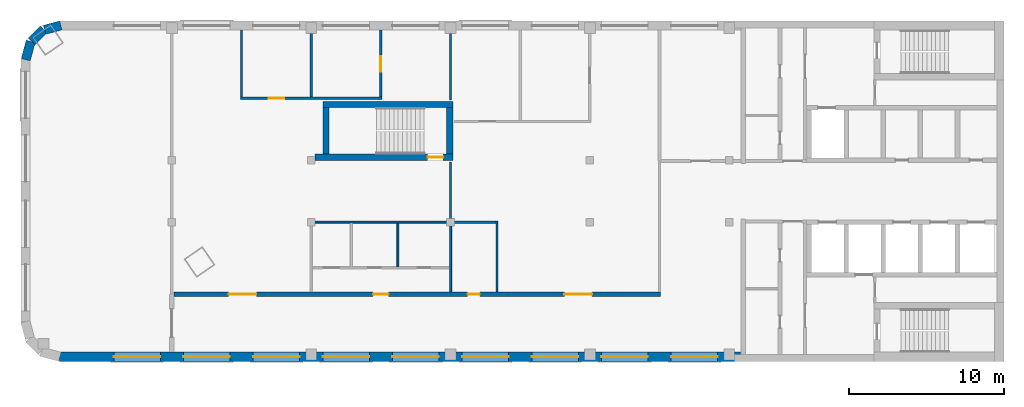
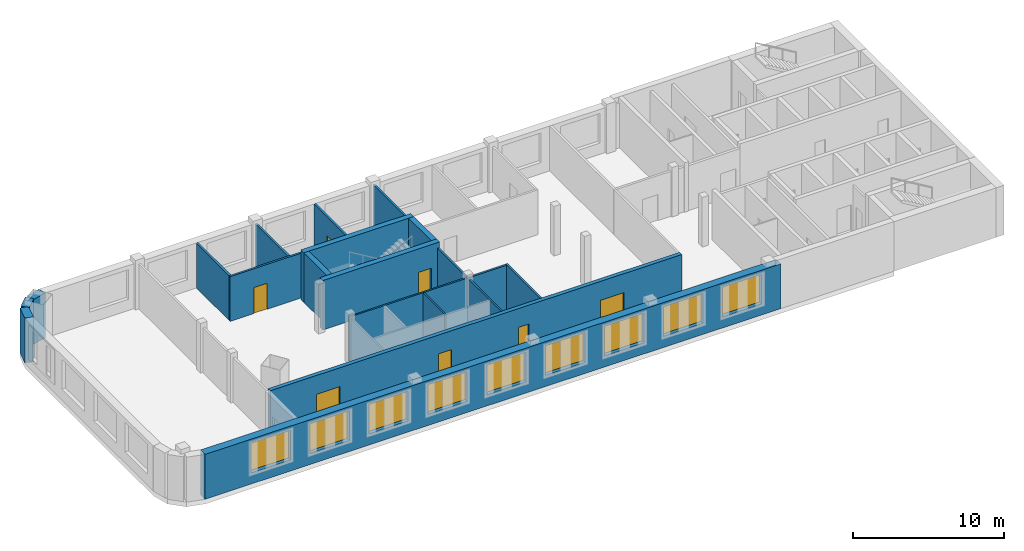
# One storey, part 2 of 6: 20 walls, 9 windows, 7 doors, 16 openings.
"""IFC4 building model written with IfcOpenShell, lengths in metres."""

from ifc_helpers import new_model, si_unit, direction, frame, frame_2d, origin, place, context, subcontext, project, spatial, rectangle, extrude, material, layer, layer_set, type_object, element, fill, save


model = new_model("IFC4")

# Units and contexts
model_context = context("Model", 3, precision=1e-05, world=origin(), true_north=direction((0.0, 1.0)))
body_context = subcontext(model_context, "Body", "Model", "MODEL_VIEW")
ifc_project = project(units=[si_unit("LENGTHUNIT", "METRE"), si_unit("AREAUNIT", "SQUARE_METRE"), si_unit("VOLUMEUNIT", "CUBIC_METRE"), si_unit("PLANEANGLEUNIT", "RADIAN"), si_unit("MASSUNIT", "GRAM", prefix="KILO")], contexts=[model_context])

# Site, building, storey
site_placement = place(None, origin())
site = spatial("IfcSite", under=ifc_project, at=site_placement, CompositionType="ELEMENT")
building_placement = place(site_placement, origin())
building = spatial("IfcBuilding", under=site, at=building_placement, Name="Skarvind Civic Tower", CompositionType="ELEMENT")
storey_placement = place(building_placement, frame((0.0, 0.0, 269.5)))
storey = spatial("IfcBuildingStorey", under=building, at=storey_placement, Name="L64", CompositionType="ELEMENT", Elevation=269.5)

# Wall, openings, doors
ifc_material_1 = material(Name="Fire-rated gypsum board on steel studs", Category="steel")
ifc_layer_1 = layer(ifc_material_1, 0.300048828125)
ifc_layer_set_1 = layer_set([ifc_layer_1], Name="CORRIDOR WALL 300")
wall_type_1 = type_object("IfcWallType", Name="CORRIDOR WALL 300", PredefinedType="PARTITIONING", material=ifc_layer_set_1)
wall_1_placement = place(storey_placement, frame((54.39990234375, 121.35009765625, 0.0), z_axis=(0.0, 0.0, 1.0), x_axis=(1.0, 0.0, 0.0)))
wall_1 = element("IfcWall", 1, at=wall_1_placement, inside=storey, type_object=wall_type_1, Name="Partition 64.002", PredefinedType="PARTITIONING", context=body_context, shape_type="SweptSolid", body=[
    extrude(rectangle(XDim=31.425048828125, YDim=0.300048828125, at=frame_2d((15.71240234375, 0.0))), origin(), (0.0, 0.0, 1.0), 3.625),
])
opening_1_placement = place(wall_1_placement, frame((18.949951171875, 0.0, 0.0)))
opening_1 = element("IfcOpeningElement", 2, at=opening_1_placement, cuts=wall_1, Name="Opening L64-D002", PredefinedType="OPENING", context=body_context, shape_type="SweptSolid", body=[
    extrude(rectangle(XDim=0.800048828125, YDim=2.10009765625, at=frame_2d((0.39990234375, 1.050048828125))), frame((0.0, 0.159912109375, 0.0), z_axis=(0.0, -1.0, 0.0), x_axis=(1.0, 0.0, 0.0)), (0.0, 0.0, 1.0), 0.320068359375),
])
opening_2_placement = place(wall_1_placement, frame((25.199951171875, 0.0, 0.0)))
opening_2 = element("IfcOpeningElement", 3, at=opening_2_placement, cuts=wall_1, Name="Opening L64-D005", PredefinedType="OPENING", context=body_context, shape_type="SweptSolid", body=[
    extrude(rectangle(XDim=1.800048828125, YDim=2.10009765625, at=frame_2d((0.89990234375, 1.050048828125))), frame((0.0, 0.159912109375, 0.0), z_axis=(0.0, -1.0, 0.0), x_axis=(1.0, 0.0, 0.0)), (0.0, 0.0, 1.0), 0.320068359375),
])
opening_3_placement = place(wall_1_placement, frame((12.85009765625, 0.0, 0.0)))
opening_3 = element("IfcOpeningElement", 4, at=opening_3_placement, cuts=wall_1, Name="Opening L64-D006", PredefinedType="OPENING", context=body_context, shape_type="SweptSolid", body=[
    extrude(rectangle(XDim=1.0, YDim=2.10009765625, at=frame_2d((0.5, 1.050048828125))), frame((0.0, 0.159912109375, 0.0), z_axis=(0.0, -1.0, 0.0), x_axis=(1.0, 0.0, 0.0)), (0.0, 0.0, 1.0), 0.320068359375),
])
opening_4_placement = place(wall_1_placement, frame((3.514892578125, 0.0, 0.0)))
opening_4 = element("IfcOpeningElement", 5, at=opening_4_placement, cuts=wall_1, Name="Opening L64-D012", PredefinedType="OPENING", context=body_context, shape_type="SweptSolid", body=[
    extrude(rectangle(XDim=1.800048828125, YDim=2.10009765625, at=frame_2d((0.89990234375, 1.050048828125))), frame((0.0, 0.159912109375, 0.0), z_axis=(0.0, -1.0, 0.0), x_axis=(1.0, 0.0, 0.0)), (0.0, 0.0, 1.0), 0.320068359375),
])
ifc_material_2 = material(Name="Fire-rated timber door leaf", Category="wood")
door_type_1 = type_object("IfcDoorType", Name="FD1 1000x2100", OperationType="NOTDEFINED", PredefinedType="DOOR", material=ifc_material_2)
door_1_placement = place(opening_3_placement, origin())
door_1 = element("IfcDoor", 6, at=door_1_placement, inside=storey, type_object=door_type_1, Name="Door L64-D006", OperationType="SINGLE_SWING_LEFT", OverallHeight=2.10009765625, OverallWidth=1.0, PredefinedType="DOOR", context=body_context, shape_type="SweptSolid", body=[
    extrude(rectangle(XDim=1.0, YDim=2.10009765625, at=frame_2d((0.5, 1.050048828125))), frame((0.0, 0.02490234375, 0.0), z_axis=(0.0, -1.0, 0.0), x_axis=(1.0, 0.0, 0.0)), (0.0, 0.0, 1.0), 0.050048828125),
])
fill(opening_3, door_1)
door_type_2 = type_object("IfcDoorType", Name="FD4 1800x2100", OperationType="NOTDEFINED", PredefinedType="DOOR", material=ifc_material_2)
door_2_placement = place(opening_2_placement, origin())
door_2 = element("IfcDoor", 7, at=door_2_placement, inside=storey, type_object=door_type_2, Name="Door L64-D005", OperationType="DOUBLE_DOOR_SINGLE_SWING", OverallHeight=2.10009765625, OverallWidth=1.800048828125, PredefinedType="DOOR", context=body_context, shape_type="SweptSolid", body=[
    extrude(rectangle(XDim=1.800048828125, YDim=2.10009765625, at=frame_2d((0.89990234375, 1.050048828125))), frame((0.0, 0.02490234375, 0.0), z_axis=(0.0, -1.0, 0.0), x_axis=(1.0, 0.0, 0.0)), (0.0, 0.0, 1.0), 0.050048828125),
])
fill(opening_2, door_2)
door_3_placement = place(opening_4_placement, origin())
door_3 = element("IfcDoor", 8, at=door_3_placement, inside=storey, type_object=door_type_2, Name="Door L64-D012", OperationType="DOUBLE_DOOR_SINGLE_SWING", OverallHeight=2.10009765625, OverallWidth=1.800048828125, PredefinedType="DOOR", context=body_context, shape_type="SweptSolid", body=[
    extrude(rectangle(XDim=1.800048828125, YDim=2.10009765625, at=frame_2d((0.89990234375, 1.050048828125))), frame((0.0, 0.02490234375, 0.0), z_axis=(0.0, -1.0, 0.0), x_axis=(1.0, 0.0, 0.0)), (0.0, 0.0, 1.0), 0.050048828125),
])
fill(opening_4, door_3)
door_type_3 = type_object("IfcDoorType", Name="FD5 800x2100", OperationType="NOTDEFINED", PredefinedType="DOOR", material=ifc_material_2)
door_4_placement = place(opening_1_placement, origin())
door_4 = element("IfcDoor", 9, at=door_4_placement, inside=storey, type_object=door_type_3, Name="Door L64-D002", OperationType="SINGLE_SWING_LEFT", OverallHeight=2.10009765625, OverallWidth=0.800048828125, PredefinedType="DOOR", context=body_context, shape_type="SweptSolid", body=[
    extrude(rectangle(XDim=0.800048828125, YDim=2.10009765625, at=frame_2d((0.39990234375, 1.050048828125))), frame((0.0, 0.02490234375, 0.0), z_axis=(0.0, -1.0, 0.0), x_axis=(1.0, 0.0, 0.0)), (0.0, 0.0, 1.0), 0.050048828125),
])
fill(opening_1, door_4)

# Wall, opening, door
ifc_material_3 = material(Name="Concrete C60", Category="concrete")
ifc_layer_2 = layer(ifc_material_3, 0.39990234375)
ifc_layer_set_2 = layer_set([ifc_layer_2], Name="Core wall 400 C60")
wall_type_2 = type_object("IfcWallType", Name="Core wall 400 C60", PredefinedType="SHEAR", material=ifc_layer_set_2)
wall_2_placement = place(storey_placement, frame((63.5, 130.199951171875, 0.0), z_axis=(0.0, 0.0, 1.0), x_axis=(1.0, 0.0, 0.0)))
wall_2 = element("IfcWall", 10, at=wall_2_placement, inside=storey, type_object=wall_type_2, Name="Core wall CM inner L64", PredefinedType="SHEAR", context=body_context, shape_type="SweptSolid", body=[
    extrude(rectangle(XDim=8.89990234375, YDim=0.39990234375, at=frame_2d((4.449951171875, 0.0))), origin(), (0.0, 0.0, 1.0), 4.0),
])
opening_5_placement = place(wall_2_placement, frame((7.27490234375, 0.0, 0.0)))
opening_5 = element("IfcOpeningElement", 11, at=opening_5_placement, cuts=wall_2, Name="Opening D-L64-CM-01", PredefinedType="OPENING", context=body_context, shape_type="SweptSolid", body=[
    extrude(rectangle(XDim=1.0, YDim=2.10009765625, at=frame_2d((0.5, 1.050048828125))), frame((0.0, 0.2099609375, 0.0), z_axis=(0.0, -1.0, 0.0), x_axis=(1.0, 0.0, 0.0)), (0.0, 0.0, 1.0), 0.419921875),
])
ifc_material_4 = material(Name="Fire-rated steel door", Category="steel")
door_type_4 = type_object("IfcDoorType", Name="Fire door 1000", OperationType="NOTDEFINED", PredefinedType="DOOR", material=ifc_material_4)
door_5_placement = place(opening_5_placement, origin())
door_5 = element("IfcDoor", 12, at=door_5_placement, inside=storey, type_object=door_type_4, Name="Fire door", OperationType="SINGLE_SWING_LEFT", OverallHeight=2.10009765625, OverallWidth=1.0, PredefinedType="DOOR", context=body_context, shape_type="SweptSolid", body=[
    extrude(rectangle(XDim=1.0, YDim=2.10009765625, at=frame_2d((0.5, 1.050048828125))), frame((0.0, 0.02490234375, 0.0), z_axis=(0.0, -1.0, 0.0), x_axis=(1.0, 0.0, 0.0)), (0.0, 0.0, 1.0), 0.050048828125),
])
fill(opening_5, door_5)

# Walls
wall_3_placement = place(storey_placement, frame((64.0, 133.60009765625, 0.0), z_axis=(0.0, 0.0, 1.0), x_axis=(1.0, 0.0, 0.0)))
element("IfcWall", 13, at=wall_3_placement, inside=storey, type_object=wall_type_2, Name="Core wall CM outer L64", PredefinedType="SHEAR", context=body_context, shape_type="SweptSolid", body=[
    extrude(rectangle(XDim=8.39990234375, YDim=0.39990234375, at=frame_2d((4.199951171875, 0.0))), origin(), (0.0, 0.0, 1.0), 4.0),
])
for number, where, z_axis, x_axis, name in (
    (14, (64.199951171875, 130.39990234375, 0.0), (0.0, 0.0, 1.0), (0.0, 1.0, 0.0), "Core wall CM west L64"),
    (15, (72.199951171875, 130.39990234375, 0.0), (0.0, 0.0, 1.0), (0.0, 1.0, 0.0), "Core wall CM end L64"),
):
    element("IfcWall", number, at=place(storey_placement, frame(where, z_axis=z_axis, x_axis=x_axis)), inside=storey, type_object=wall_type_2, Name=name, PredefinedType="SHEAR", context=body_context, shape_type="SweptSolid", body=[
        extrude(rectangle(XDim=3.0, YDim=0.39990234375, at=frame_2d((1.5, 0.0))), origin(), (0.0, 0.0, 1.0), 4.0),
    ])
ifc_material_5 = material(Name="Plasterboard partition on steel studs", Category="steel")
ifc_layer_3 = layer(ifc_material_5, 0.14990234375)
ifc_layer_set_3 = layer_set([ifc_layer_3], Name="PARTITION 150")
wall_type_3 = type_object("IfcWallType", Name="PARTITION 150", PredefinedType="PARTITIONING", material=ifc_layer_set_3)
wall_4_placement = place(storey_placement, frame((58.75, 134.074951171875, 0.0), z_axis=(0.0, 0.0, 1.0), x_axis=(0.0, 1.0, 0.0)))
element("IfcWall", 16, at=wall_4_placement, inside=storey, type_object=wall_type_3, Name="Partition 64.004", PredefinedType="PARTITIONING", context=body_context, shape_type="SweptSolid", body=[
    extrude(rectangle(XDim=4.324951171875, YDim=0.14990234375, at=frame_2d((2.16259765625, 0.0))), origin(), (0.0, 0.0, 1.0), 3.625),
])

# Wall, opening, door
wall_5_placement = place(storey_placement, frame((67.824951171875, 134.0, 0.0), z_axis=(0.0, 0.0, 1.0), x_axis=(-1.0, 0.0, 0.0)))
wall_5 = element("IfcWall", 17, at=wall_5_placement, inside=storey, type_object=wall_type_3, Name="Partition 64.005", PredefinedType="PARTITIONING", context=body_context, shape_type="SweptSolid", body=[
    extrude(rectangle(XDim=9.14990234375, YDim=0.14990234375, at=frame_2d((4.574951171875, 0.0))), origin(), (0.0, 0.0, 1.0), 3.625),
])
opening_6_placement = place(wall_5_placement, frame((6.324951171875, 0.0, 0.0)))
opening_6 = element("IfcOpeningElement", 18, at=opening_6_placement, cuts=wall_5, Name="Opening L64-D011", PredefinedType="OPENING", context=body_context, shape_type="SweptSolid", body=[
    extrude(rectangle(XDim=1.0, YDim=2.10009765625, at=frame_2d((0.5, 1.050048828125))), frame((0.0, 0.0849609375, 0.0), z_axis=(0.0, -1.0, 0.0), x_axis=(1.0, 0.0, 0.0)), (0.0, 0.0, 1.0), 0.169921875),
])
ifc_material_6 = material(Name="Timber door leaf", Category="wood")
door_type_5 = type_object("IfcDoorType", Name="D1 1000x2100", OperationType="NOTDEFINED", PredefinedType="DOOR", material=ifc_material_6)
door_6_placement = place(opening_6_placement, origin())
door_6 = element("IfcDoor", 19, at=door_6_placement, inside=storey, type_object=door_type_5, Name="Door L64-D011", OperationType="SINGLE_SWING_RIGHT", OverallHeight=2.10009765625, OverallWidth=1.0, PredefinedType="DOOR", context=body_context, shape_type="SweptSolid", body=[
    extrude(rectangle(XDim=1.0, YDim=2.10009765625, at=frame_2d((0.5, 1.050048828125))), frame((0.0, 0.02490234375, 0.0), z_axis=(0.0, -1.0, 0.0), x_axis=(1.0, 0.0, 0.0)), (0.0, 0.0, 1.0), 0.050048828125),
])
fill(opening_6, door_6)

# Wall
wall_6_placement = place(storey_placement, frame((63.25, 134.074951171875, 0.0), z_axis=(0.0, 0.0, 1.0), x_axis=(0.0, 1.0, 0.0)))
element("IfcWall", 20, at=wall_6_placement, inside=storey, type_object=wall_type_3, Name="Partition 64.009", PredefinedType="PARTITIONING", context=body_context, shape_type="SweptSolid", body=[
    extrude(rectangle(XDim=4.324951171875, YDim=0.14990234375, at=frame_2d((2.16259765625, 0.0))), origin(), (0.0, 0.0, 1.0), 3.625),
])

# Wall, opening, door
wall_7_placement = place(storey_placement, frame((67.75, 138.39990234375, 0.0), z_axis=(0.0, 0.0, 1.0), x_axis=(0.0, -1.0, 0.0)))
wall_7 = element("IfcWall", 21, at=wall_7_placement, inside=storey, type_object=wall_type_3, Name="Partition 64.011", PredefinedType="PARTITIONING", context=body_context, shape_type="SweptSolid", body=[
    extrude(rectangle(XDim=4.324951171875, YDim=0.14990234375, at=frame_2d((2.16259765625, 0.0))), origin(), (0.0, 0.0, 1.0), 3.625),
])
opening_7_placement = place(wall_7_placement, frame((1.672607421875, 0.0, 0.0)))
opening_7 = element("IfcOpeningElement", 22, at=opening_7_placement, cuts=wall_7, Name="Opening L64-D010", PredefinedType="OPENING", context=body_context, shape_type="SweptSolid", body=[
    extrude(rectangle(XDim=1.0, YDim=2.10009765625, at=frame_2d((0.5, 1.050048828125))), frame((0.0, 0.0849609375, 0.0), z_axis=(0.0, -1.0, 0.0), x_axis=(1.0, 0.0, 0.0)), (0.0, 0.0, 1.0), 0.169921875),
])
door_7_placement = place(opening_7_placement, origin())
door_7 = element("IfcDoor", 23, at=door_7_placement, inside=storey, type_object=door_type_5, Name="Door L64-D010", OperationType="SINGLE_SWING_LEFT", OverallHeight=2.10009765625, OverallWidth=1.0, PredefinedType="DOOR", context=body_context, shape_type="SweptSolid", body=[
    extrude(rectangle(XDim=1.0, YDim=2.10009765625, at=frame_2d((0.5, 1.050048828125))), frame((0.0, 0.02490234375, 0.0), z_axis=(0.0, -1.0, 0.0), x_axis=(1.0, 0.0, 0.0)), (0.0, 0.0, 1.0), 0.050048828125),
])
fill(opening_7, door_7)

# Walls
wall_8_placement = place(storey_placement, frame((72.25, 126.0, 0.0), z_axis=(0.0, 0.0, 1.0), x_axis=(0.0, 1.0, 0.0)))
element("IfcWall", 24, at=wall_8_placement, inside=storey, type_object=wall_type_3, Name="Partition 64.014", PredefinedType="PARTITIONING", context=body_context, shape_type="SweptSolid", body=[
    extrude(rectangle(XDim=3.89990234375, YDim=0.14990234375, at=frame_2d((1.949951171875, 0.0))), origin(), (0.0, 0.0, 1.0), 3.625),
])
wall_9_placement = place(storey_placement, frame((72.25, 133.89990234375, 0.0), z_axis=(0.0, 0.0, 1.0), x_axis=(0.0, 1.0, 0.0)))
element("IfcWall", 25, at=wall_9_placement, inside=storey, type_object=wall_type_3, Name="Partition 64.015", PredefinedType="PARTITIONING", context=body_context, shape_type="SweptSolid", body=[
    extrude(rectangle(XDim=4.5, YDim=0.14990234375, at=frame_2d((2.25, 0.0))), origin(), (0.0, 0.0, 1.0), 3.625),
])
wall_10_placement = place(storey_placement, frame((75.25, 121.5, 0.0), z_axis=(0.0, 0.0, 1.0), x_axis=(0.0, 1.0, 0.0)))
element("IfcWall", 26, at=wall_10_placement, inside=storey, type_object=wall_type_3, Name="Partition 64.017", PredefinedType="PARTITIONING", context=body_context, shape_type="SweptSolid", body=[
    extrude(rectangle(XDim=4.574951171875, YDim=0.14990234375, at=frame_2d((2.28759765625, 0.0))), origin(), (0.0, 0.0, 1.0), 3.625),
])
wall_11_placement = place(storey_placement, frame((75.175048828125, 126.0, 0.0), z_axis=(0.0, 0.0, 1.0), x_axis=(-1.0, 0.0, 0.0)))
element("IfcWall", 27, at=wall_11_placement, inside=storey, type_object=wall_type_3, Name="Partition 64.018", PredefinedType="PARTITIONING", context=body_context, shape_type="SweptSolid", body=[
    extrude(rectangle(XDim=2.925048828125, YDim=0.14990234375, at=frame_2d((1.46240234375, 0.0))), origin(), (0.0, 0.0, 1.0), 3.625),
])
ifc_material_7 = material(Name="Moisture-resistant gypsum board on steel studs", Category="steel")
ifc_layer_4 = layer(ifc_material_7, 0.125)
ifc_layer_set_4 = layer_set([ifc_layer_4], Name="WC PARTITION 125")
wall_type_4 = type_object("IfcWallType", Name="WC PARTITION 125", PredefinedType="PARTITIONING", material=ifc_layer_set_4)
wall_12_placement = place(storey_placement, frame((63.18798828125, 126.0, 0.0), z_axis=(0.0, 0.0, 1.0), x_axis=(1.0, 0.0, 0.0)))
element("IfcWall", 28, at=wall_12_placement, inside=storey, type_object=wall_type_4, Name="Partition 64.008", PredefinedType="PARTITIONING", context=body_context, shape_type="SweptSolid", body=[
    extrude(rectangle(XDim=9.06201171875, YDim=0.125, at=frame_2d((4.531005859375, 0.0))), origin(), (0.0, 0.0, 1.0), 3.625),
])
wall_13_placement = place(storey_placement, frame((68.85009765625, 125.93798828125, 0.0), z_axis=(0.0, 0.0, 1.0), x_axis=(0.0, -1.0, 0.0)))
element("IfcWall", 29, at=wall_13_placement, inside=storey, type_object=wall_type_4, Name="Partition 64.012", PredefinedType="PARTITIONING", context=body_context, shape_type="SweptSolid", body=[
    extrude(rectangle(XDim=2.825927734375, YDim=0.125, at=frame_2d((1.4130859375, 0.0))), origin(), (0.0, 0.0, 1.0), 3.625),
])
wall_14_placement = place(storey_placement, frame((72.25, 126.0, 0.0), z_axis=(0.0, 0.0, 1.0), x_axis=(0.0, -1.0, 0.0)))
element("IfcWall", 30, at=wall_14_placement, inside=storey, type_object=wall_type_4, Name="Partition 64.013", PredefinedType="PARTITIONING", context=body_context, shape_type="SweptSolid", body=[
    extrude(rectangle(XDim=4.5, YDim=0.125, at=frame_2d((2.25, 0.0))), origin(), (0.0, 0.0, 1.0), 3.625),
])
ifc_material_8 = material(Name="Standing-seam zinc cladding on insulated backing")
ifc_layer_5 = layer(ifc_material_8, 0.60009765625)
ifc_layer_set_5 = layer_set([ifc_layer_5], Name="WX2 ZINC-CLAD FACADE WALL 600")
wall_type_5 = type_object("IfcWallType", Name="WX2 ZINC-CLAD FACADE WALL 600", PredefinedType="SOLIDWALL", material=ifc_layer_set_5)
wall_15_placement = place(storey_placement, frame((46.030517578125, 138.4296875, 0.0), z_axis=(0.0, 0.0, 1.0), x_axis=(0.965939004864, 0.25876985698, 0.0)))
element("IfcWall", 31, at=wall_15_placement, inside=storey, type_object=wall_type_5, Name="ZINC-CLAD FACADE WALL", PredefinedType="SOLIDWALL", context=body_context, shape_type="SweptSolid", body=[
    extrude(rectangle(XDim=1.083984375, YDim=0.60009765625, at=frame_2d((0.5419921875, 0.0))), origin(), (0.0, 0.0, 1.0), 3.625),
])
wall_16_placement = place(storey_placement, frame((45.195556640625, 137.686279296875, 0.0), z_axis=(0.0, 0.0, 1.0), x_axis=(0.707106781187, 0.707106781187, 0.0)))
element("IfcWall", 32, at=wall_16_placement, inside=storey, type_object=wall_type_5, Name="ZINC-CLAD FACADE WALL", PredefinedType="SOLIDWALL", context=body_context, shape_type="SweptSolid", body=[
    extrude(rectangle(XDim=1.084228515625, YDim=0.60009765625, at=frame_2d((0.5419921875, 0.0))), origin(), (0.0, 0.0, 1.0), 3.625),
])
wall_17_placement = place(storey_placement, frame((44.807861328125, 136.489990234375, 0.0), z_axis=(0.0, 0.0, 1.0), x_axis=(0.258878975098, 0.965909766102, 0.0)))
element("IfcWall", 33, at=wall_17_placement, inside=storey, type_object=wall_type_5, Name="ZINC-CLAD FACADE WALL", PredefinedType="SOLIDWALL", context=body_context, shape_type="SweptSolid", body=[
    extrude(rectangle(XDim=1.22412109375, YDim=0.60009765625, at=frame_2d((0.612060546875, 0.0))), origin(), (0.0, 0.0, 1.0), 3.625),
])

# Wall, openings, windows
wall_18_placement = place(storey_placement, frame((90.97998046875, 117.300048828125, 0.0), z_axis=(0.0, 0.0, 1.0), x_axis=(-1.0, 0.0, 0.0)))
wall_18 = element("IfcWall", 34, at=wall_18_placement, inside=storey, type_object=wall_type_5, Name="ZINC-CLAD FACADE WALL", PredefinedType="SOLIDWALL", context=body_context, shape_type="SweptSolid", body=[
    extrude(rectangle(XDim=43.97998046875, YDim=0.60009765625, at=frame_2d((21.989990234375, 0.0))), origin(), (0.0, 0.0, 1.0), 3.625),
])
opening_8_placement = place(wall_18_placement, frame((1.47998046875, 0.0, 0.89990234375)))
opening_8 = element("IfcOpeningElement", 35, at=opening_8_placement, cuts=wall_18, Name="Opening WN4", PredefinedType="OPENING", context=body_context, shape_type="SweptSolid", body=[
    extrude(rectangle(XDim=3.0, YDim=2.39990234375, at=frame_2d((1.5, 1.199951171875))), frame((0.0, 0.31005859375, 0.0), z_axis=(0.0, -1.0, 0.0), x_axis=(1.0, 0.0, 0.0)), (0.0, 0.0, 1.0), 0.6201171875),
])
opening_9_placement = place(wall_18_placement, frame((5.97998046875, 0.0, 0.89990234375)))
opening_9 = element("IfcOpeningElement", 36, at=opening_9_placement, cuts=wall_18, Name="Opening WN4", PredefinedType="OPENING", context=body_context, shape_type="SweptSolid", body=[
    extrude(rectangle(XDim=3.0, YDim=2.39990234375, at=frame_2d((1.5, 1.199951171875))), frame((0.0, 0.31005859375, 0.0), z_axis=(0.0, -1.0, 0.0), x_axis=(1.0, 0.0, 0.0)), (0.0, 0.0, 1.0), 0.6201171875),
])
opening_10_placement = place(wall_18_placement, frame((10.47998046875, 0.0, 0.89990234375)))
opening_10 = element("IfcOpeningElement", 37, at=opening_10_placement, cuts=wall_18, Name="Opening WN4", PredefinedType="OPENING", context=body_context, shape_type="SweptSolid", body=[
    extrude(rectangle(XDim=3.0, YDim=2.39990234375, at=frame_2d((1.5, 1.199951171875))), frame((0.0, 0.31005859375, 0.0), z_axis=(0.0, -1.0, 0.0), x_axis=(1.0, 0.0, 0.0)), (0.0, 0.0, 1.0), 0.6201171875),
])
opening_11_placement = place(wall_18_placement, frame((14.97998046875, 0.0, 0.89990234375)))
opening_11 = element("IfcOpeningElement", 38, at=opening_11_placement, cuts=wall_18, Name="Opening WN4", PredefinedType="OPENING", context=body_context, shape_type="SweptSolid", body=[
    extrude(rectangle(XDim=3.0, YDim=2.39990234375, at=frame_2d((1.5, 1.199951171875))), frame((0.0, 0.31005859375, 0.0), z_axis=(0.0, -1.0, 0.0), x_axis=(1.0, 0.0, 0.0)), (0.0, 0.0, 1.0), 0.6201171875),
])
opening_12_placement = place(wall_18_placement, frame((19.47998046875, 0.0, 0.89990234375)))
opening_12 = element("IfcOpeningElement", 39, at=opening_12_placement, cuts=wall_18, Name="Opening WN4", PredefinedType="OPENING", context=body_context, shape_type="SweptSolid", body=[
    extrude(rectangle(XDim=3.0, YDim=2.39990234375, at=frame_2d((1.5, 1.199951171875))), frame((0.0, 0.31005859375, 0.0), z_axis=(0.0, -1.0, 0.0), x_axis=(1.0, 0.0, 0.0)), (0.0, 0.0, 1.0), 0.6201171875),
])
opening_13_placement = place(wall_18_placement, frame((23.97998046875, 0.0, 0.89990234375)))
opening_13 = element("IfcOpeningElement", 40, at=opening_13_placement, cuts=wall_18, Name="Opening WN4", PredefinedType="OPENING", context=body_context, shape_type="SweptSolid", body=[
    extrude(rectangle(XDim=3.0, YDim=2.39990234375, at=frame_2d((1.5, 1.199951171875))), frame((0.0, 0.31005859375, 0.0), z_axis=(0.0, -1.0, 0.0), x_axis=(1.0, 0.0, 0.0)), (0.0, 0.0, 1.0), 0.6201171875),
])
opening_14_placement = place(wall_18_placement, frame((28.47998046875, 0.0, 0.89990234375)))
opening_14 = element("IfcOpeningElement", 41, at=opening_14_placement, cuts=wall_18, Name="Opening WN4", PredefinedType="OPENING", context=body_context, shape_type="SweptSolid", body=[
    extrude(rectangle(XDim=3.0, YDim=2.39990234375, at=frame_2d((1.5, 1.199951171875))), frame((0.0, 0.31005859375, 0.0), z_axis=(0.0, -1.0, 0.0), x_axis=(1.0, 0.0, 0.0)), (0.0, 0.0, 1.0), 0.6201171875),
])
opening_15_placement = place(wall_18_placement, frame((32.97998046875, 0.0, 0.89990234375)))
opening_15 = element("IfcOpeningElement", 42, at=opening_15_placement, cuts=wall_18, Name="Opening WN4", PredefinedType="OPENING", context=body_context, shape_type="SweptSolid", body=[
    extrude(rectangle(XDim=3.0, YDim=2.39990234375, at=frame_2d((1.5, 1.199951171875))), frame((0.0, 0.31005859375, 0.0), z_axis=(0.0, -1.0, 0.0), x_axis=(1.0, 0.0, 0.0)), (0.0, 0.0, 1.0), 0.6201171875),
])
opening_16_placement = place(wall_18_placement, frame((37.47998046875, 0.0, 0.89990234375)))
opening_16 = element("IfcOpeningElement", 43, at=opening_16_placement, cuts=wall_18, Name="Opening WN4", PredefinedType="OPENING", context=body_context, shape_type="SweptSolid", body=[
    extrude(rectangle(XDim=3.0, YDim=2.39990234375, at=frame_2d((1.5, 1.199951171875))), frame((0.0, 0.31005859375, 0.0), z_axis=(0.0, -1.0, 0.0), x_axis=(1.0, 0.0, 0.0)), (0.0, 0.0, 1.0), 0.6201171875),
])
ifc_material_9 = material(Name="Timber frame, double glazing, copper-lined reveal", Category="wood")
window_type = type_object("IfcWindowType", Name="WN4 COPPER-LINED WINDOW 3000 x 2400", PartitioningType="SINGLE_PANEL", PredefinedType="WINDOW", material=ifc_material_9)
window_1_placement = place(opening_8_placement, origin())
window_1 = element("IfcWindow", 44, at=window_1_placement, inside=storey, type_object=window_type, Name="WN4 WINDOW", OverallHeight=2.39990234375, OverallWidth=3.0, PartitioningType="SINGLE_PANEL", PredefinedType="WINDOW", context=body_context, shape_type="SweptSolid", body=[
    extrude(rectangle(XDim=3.0, YDim=2.39990234375, at=frame_2d((1.5, 1.199951171875))), frame((0.0, 0.030029296875, 0.0), z_axis=(0.0, -1.0, 0.0), x_axis=(1.0, 0.0, 0.0)), (0.0, 0.0, 1.0), 0.06005859375),
])
fill(opening_8, window_1)
window_2_placement = place(opening_9_placement, origin())
window_2 = element("IfcWindow", 45, at=window_2_placement, inside=storey, type_object=window_type, Name="WN4 WINDOW", OverallHeight=2.39990234375, OverallWidth=3.0, PartitioningType="SINGLE_PANEL", PredefinedType="WINDOW", context=body_context, shape_type="SweptSolid", body=[
    extrude(rectangle(XDim=3.0, YDim=2.39990234375, at=frame_2d((1.5, 1.199951171875))), frame((0.0, 0.030029296875, 0.0), z_axis=(0.0, -1.0, 0.0), x_axis=(1.0, 0.0, 0.0)), (0.0, 0.0, 1.0), 0.06005859375),
])
fill(opening_9, window_2)
window_3_placement = place(opening_10_placement, origin())
window_3 = element("IfcWindow", 46, at=window_3_placement, inside=storey, type_object=window_type, Name="WN4 WINDOW", OverallHeight=2.39990234375, OverallWidth=3.0, PartitioningType="SINGLE_PANEL", PredefinedType="WINDOW", context=body_context, shape_type="SweptSolid", body=[
    extrude(rectangle(XDim=3.0, YDim=2.39990234375, at=frame_2d((1.5, 1.199951171875))), frame((0.0, 0.030029296875, 0.0), z_axis=(0.0, -1.0, 0.0), x_axis=(1.0, 0.0, 0.0)), (0.0, 0.0, 1.0), 0.06005859375),
])
fill(opening_10, window_3)
window_4_placement = place(opening_11_placement, origin())
window_4 = element("IfcWindow", 47, at=window_4_placement, inside=storey, type_object=window_type, Name="WN4 WINDOW", OverallHeight=2.39990234375, OverallWidth=3.0, PartitioningType="SINGLE_PANEL", PredefinedType="WINDOW", context=body_context, shape_type="SweptSolid", body=[
    extrude(rectangle(XDim=3.0, YDim=2.39990234375, at=frame_2d((1.5, 1.199951171875))), frame((0.0, 0.030029296875, 0.0), z_axis=(0.0, -1.0, 0.0), x_axis=(1.0, 0.0, 0.0)), (0.0, 0.0, 1.0), 0.06005859375),
])
fill(opening_11, window_4)
window_5_placement = place(opening_12_placement, origin())
window_5 = element("IfcWindow", 48, at=window_5_placement, inside=storey, type_object=window_type, Name="WN4 WINDOW", OverallHeight=2.39990234375, OverallWidth=3.0, PartitioningType="SINGLE_PANEL", PredefinedType="WINDOW", context=body_context, shape_type="SweptSolid", body=[
    extrude(rectangle(XDim=3.0, YDim=2.39990234375, at=frame_2d((1.5, 1.199951171875))), frame((0.0, 0.030029296875, 0.0), z_axis=(0.0, -1.0, 0.0), x_axis=(1.0, 0.0, 0.0)), (0.0, 0.0, 1.0), 0.06005859375),
])
fill(opening_12, window_5)
window_6_placement = place(opening_13_placement, origin())
window_6 = element("IfcWindow", 49, at=window_6_placement, inside=storey, type_object=window_type, Name="WN4 WINDOW", OverallHeight=2.39990234375, OverallWidth=3.0, PartitioningType="SINGLE_PANEL", PredefinedType="WINDOW", context=body_context, shape_type="SweptSolid", body=[
    extrude(rectangle(XDim=3.0, YDim=2.39990234375, at=frame_2d((1.5, 1.199951171875))), frame((0.0, 0.030029296875, 0.0), z_axis=(0.0, -1.0, 0.0), x_axis=(1.0, 0.0, 0.0)), (0.0, 0.0, 1.0), 0.06005859375),
])
fill(opening_13, window_6)
window_7_placement = place(opening_14_placement, origin())
window_7 = element("IfcWindow", 50, at=window_7_placement, inside=storey, type_object=window_type, Name="WN4 WINDOW", OverallHeight=2.39990234375, OverallWidth=3.0, PartitioningType="SINGLE_PANEL", PredefinedType="WINDOW", context=body_context, shape_type="SweptSolid", body=[
    extrude(rectangle(XDim=3.0, YDim=2.39990234375, at=frame_2d((1.5, 1.199951171875))), frame((0.0, 0.030029296875, 0.0), z_axis=(0.0, -1.0, 0.0), x_axis=(1.0, 0.0, 0.0)), (0.0, 0.0, 1.0), 0.06005859375),
])
fill(opening_14, window_7)
window_8_placement = place(opening_15_placement, origin())
window_8 = element("IfcWindow", 51, at=window_8_placement, inside=storey, type_object=window_type, Name="WN4 WINDOW", OverallHeight=2.39990234375, OverallWidth=3.0, PartitioningType="SINGLE_PANEL", PredefinedType="WINDOW", context=body_context, shape_type="SweptSolid", body=[
    extrude(rectangle(XDim=3.0, YDim=2.39990234375, at=frame_2d((1.5, 1.199951171875))), frame((0.0, 0.030029296875, 0.0), z_axis=(0.0, -1.0, 0.0), x_axis=(1.0, 0.0, 0.0)), (0.0, 0.0, 1.0), 0.06005859375),
])
fill(opening_15, window_8)
window_9_placement = place(opening_16_placement, origin())
window_9 = element("IfcWindow", 52, at=window_9_placement, inside=storey, type_object=window_type, Name="WN4 WINDOW", OverallHeight=2.39990234375, OverallWidth=3.0, PartitioningType="SINGLE_PANEL", PredefinedType="WINDOW", context=body_context, shape_type="SweptSolid", body=[
    extrude(rectangle(XDim=3.0, YDim=2.39990234375, at=frame_2d((1.5, 1.199951171875))), frame((0.0, 0.030029296875, 0.0), z_axis=(0.0, -1.0, 0.0), x_axis=(1.0, 0.0, 0.0)), (0.0, 0.0, 1.0), 0.06005859375),
])
fill(opening_16, window_9)

save(model, "model.ifc")
